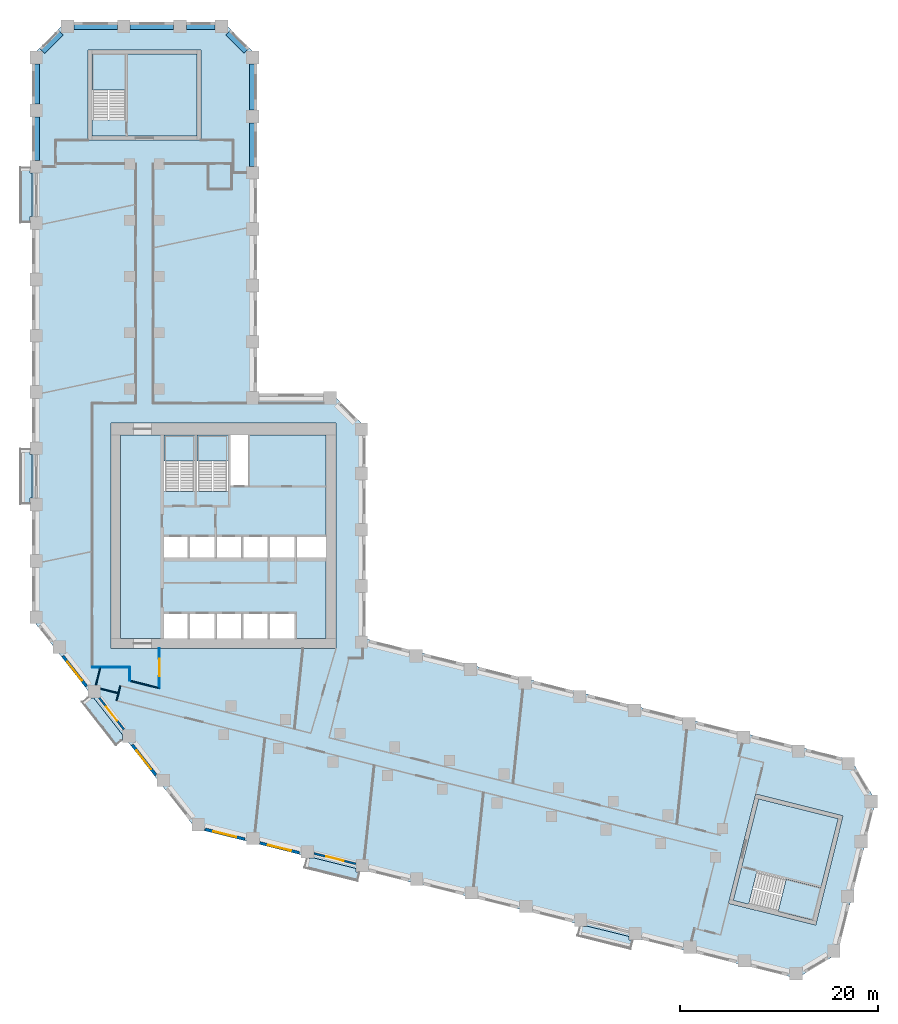
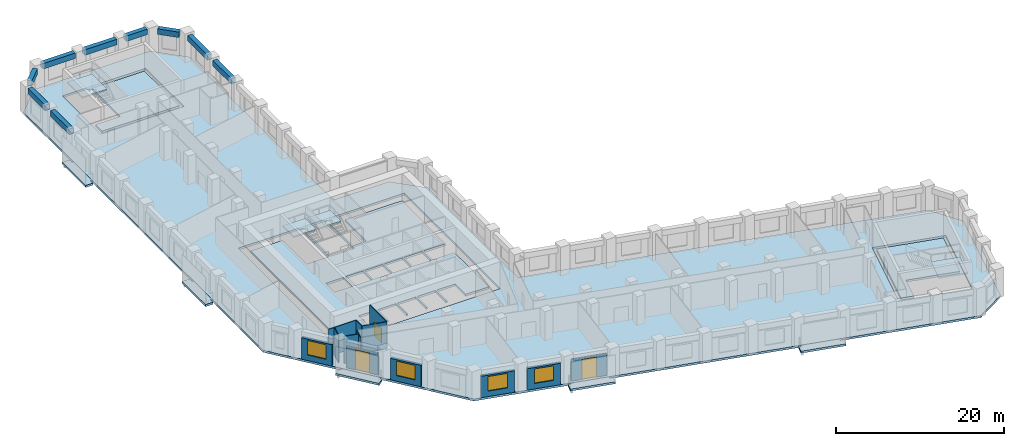
# One storey, part 2 of 11: 13 slabs, 13 walls, 9 beams, 4 windows, 3 doors, 7 openings, 4 elements without a shape of their own.
"""IFC4 building model written with IfcOpenShell, lengths in metres."""

from ifc_helpers import new_model, si_unit, direction, frame, frame_2d, origin, origin_2d, place, context, subcontext, project, spatial, polyline, rectangle, outline, extrude, material, layer, layer_set, material_profile, profile_set, type_object, element, fill, aggregate, save


model = new_model("IFC4")

# Units and contexts
model_context = context("Model", 3, precision=1e-05, world=origin(), true_north=direction((0.0, 1.0)))
body_context = subcontext(model_context, "Body", "Model", "MODEL_VIEW")
ifc_project = project(units=[si_unit("LENGTHUNIT", "METRE"), si_unit("AREAUNIT", "SQUARE_METRE"), si_unit("VOLUMEUNIT", "CUBIC_METRE"), si_unit("PLANEANGLEUNIT", "RADIAN"), si_unit("MASSUNIT", "GRAM", prefix="KILO")], contexts=[model_context])

# Site, building, storey
site_placement = place(None, origin())
site = spatial("IfcSite", under=ifc_project, at=site_placement, CompositionType="ELEMENT")
building_placement = place(site_placement, origin())
building = spatial("IfcBuilding", under=site, at=building_placement, Name="Meshkara Civic Tower", CompositionType="ELEMENT")
storey_placement = place(building_placement, frame((0.0, 0.0, 139.199951171875)))
storey = spatial("IfcBuildingStorey", under=building, at=storey_placement, Name="L31", CompositionType="ELEMENT", Elevation=139.199951171875)

# Beams
ifc_material_1 = material(Name="Concrete C70", Category="concrete")
ifc_material_profile = material_profile(ifc_material_1, rectangle(XDim=0.60009765625, YDim=0.800048828125, at=origin_2d()))
ifc_profile_set = profile_set([ifc_material_profile], Name="Concrete C70")
beam_type = type_object("IfcBeamType", Name="Spandrel beam RC 600x800 C70", PredefinedType="BEAM", material=ifc_profile_set)
beam_1_placement = place(storey_placement, frame((22.35009765625, 62.89501953125, 3.5), z_axis=(0.0, 1.0, 0.0), x_axis=(-1.0, 0.0, 0.0)))
element("IfcBeam", 1, at=beam_1_placement, inside=storey, type_object=beam_type, Name="Spandrel beam AE04-AE05", PredefinedType="BEAM", context=body_context, shape_type="SweptSolid", body=[
    extrude(rectangle(XDim=0.60009765625, YDim=0.800048828125, at=origin_2d()), origin(), (0.0, 0.0, 1.0), 4.409912109375),
])
beam_2_placement = place(storey_placement, frame((22.35009765625, 68.594970703125, 3.5), z_axis=(0.0, 1.0, 0.0), x_axis=(-1.0, 0.0, 0.0)))
element("IfcBeam", 2, at=beam_2_placement, inside=storey, type_object=beam_type, Name="Spandrel beam AE05-AEEP1", PredefinedType="BEAM", context=body_context, shape_type="SweptSolid", body=[
    extrude(rectangle(XDim=0.60009765625, YDim=0.800048828125, at=origin_2d()), origin(), (0.0, 0.0, 1.0), 4.674072265625),
])
beam_3_placement = place(storey_placement, frame((21.70361328125, 74.560546875, 3.5), z_axis=(-0.707106781187, 0.707106781187, 0.0), x_axis=(-0.707106781187, -0.707106781187, 0.0)))
element("IfcBeam", 3, at=beam_3_placement, inside=storey, type_object=beam_type, Name="Spandrel beam AEEP1-ATiEP1", PredefinedType="BEAM", context=body_context, shape_type="SweptSolid", body=[
    extrude(rectangle(XDim=0.60009765625, YDim=0.800048828125, at=origin_2d()), origin(), (0.0, 0.0, 1.0), 2.634765625),
])
beam_4_placement = place(storey_placement, frame((18.549072265625, 77.070068359375, 3.5), z_axis=(-1.0, 0.0, 0.0), x_axis=(0.0, -1.0, 0.0)))
element("IfcBeam", 4, at=beam_4_placement, inside=storey, type_object=beam_type, Name="Spandrel beam AT02-P1-ATiEP1", PredefinedType="BEAM", context=body_context, shape_type="SweptSolid", body=[
    extrude(rectangle(XDim=0.60009765625, YDim=0.800048828125, at=origin_2d()), origin(), (0.0, 0.0, 1.0), 2.898193359375),
])
beam_5_placement = place(storey_placement, frame((14.361083984375, 77.070068359375, 3.5), z_axis=(-1.0, 0.0, 0.0), x_axis=(0.0, -1.0, 0.0)))
element("IfcBeam", 5, at=beam_5_placement, inside=storey, type_object=beam_type, Name="Spandrel beam AT01-P1-AT02-P1", PredefinedType="BEAM", context=body_context, shape_type="SweptSolid", body=[
    extrude(rectangle(XDim=0.60009765625, YDim=0.800048828125, at=origin_2d()), origin(), (0.0, 0.0, 1.0), 4.41015625),
])
beam_6_placement = place(storey_placement, frame((8.660888671875, 77.070068359375, 3.5), z_axis=(-1.0, 0.0, 0.0), x_axis=(0.0, -1.0, 0.0)))
element("IfcBeam", 6, at=beam_6_placement, inside=storey, type_object=beam_type, Name="Spandrel beam AT00-P1-AT01-P1", PredefinedType="BEAM", context=body_context, shape_type="SweptSolid", body=[
    extrude(rectangle(XDim=0.60009765625, YDim=0.800048828125, at=origin_2d()), origin(), (0.0, 0.0, 1.0), 4.409912109375),
])
beam_7_placement = place(storey_placement, frame((2.95947265625, 76.423583984375, 3.5), z_axis=(-0.707106781187, -0.707106781187, 0.0), x_axis=(0.707106781187, -0.707106781187, 0.0)))
element("IfcBeam", 7, at=beam_7_placement, inside=storey, type_object=beam_type, Name="Spandrel beam AT00-P1-ATo00-P1", PredefinedType="BEAM", context=body_context, shape_type="SweptSolid", body=[
    extrude(rectangle(XDim=0.60009765625, YDim=0.800048828125, at=origin_2d()), origin(), (0.0, 0.0, 1.0), 2.634765625),
])
beam_8_placement = place(storey_placement, frame((0.449951171875, 73.26904296875, 3.5), z_axis=(0.0, -1.0, 0.0), x_axis=(1.0, 0.0, 0.0)))
element("IfcBeam", 8, at=beam_8_placement, inside=storey, type_object=beam_type, Name="Spandrel beam ATo00-P1-AW09", PredefinedType="BEAM", context=body_context, shape_type="SweptSolid", body=[
    extrude(rectangle(XDim=0.60009765625, YDim=0.800048828125, at=origin_2d()), origin(), (0.0, 0.0, 1.0), 4.069091796875),
])
beam_9_placement = place(storey_placement, frame((0.449951171875, 67.909912109375, 3.5), z_axis=(0.0, -1.0, 0.0), x_axis=(1.0, 0.0, 0.0)))
element("IfcBeam", 9, at=beam_9_placement, inside=storey, type_object=beam_type, Name="Spandrel beam AW08-AW09", PredefinedType="BEAM", context=body_context, shape_type="SweptSolid", body=[
    extrude(rectangle(XDim=0.60009765625, YDim=0.800048828125, at=origin_2d()), origin(), (0.0, 0.0, 1.0), 4.409912109375),
])

# Slabs
ifc_material_2 = material(Name="Concrete C40", Category="concrete")
ifc_layer_1 = layer(ifc_material_2, 0.300048828125)
ifc_layer_set_1 = layer_set([ifc_layer_1], Name="BALCONY SLAB")
slab_type_1 = type_object("IfcSlabType", Name="BALCONY SLAB", PredefinedType="FLOOR", material=ifc_layer_set_1)
slab_1_placement = place(storey_placement, frame((0.0, 0.0, -0.300048828125)))
element("IfcSlab", 10, at=slab_1_placement, inside=storey, type_object=slab_type_1, Name="Balcony slab", PredefinedType="FLOOR", context=body_context, shape_type="SweptSolid", body=[
    extrude(outline(polyline([(-1.199951171875, 57.215087890625), (-1.199951171875, 62.794921875), (-0.199951171875, 62.794921875), (-0.199951171875, 62.205078125), (0.0, 62.205078125), (0.0, 57.804931640625), (-0.199951171875, 57.804931640625), (-0.199951171875, 57.215087890625), (-1.199951171875, 57.215087890625)])), origin(), (0.0, 0.0, 1.0), 0.300048828125),
])
slab_2_placement = place(storey_placement, frame((0.0, 0.0, -0.300048828125)))
element("IfcSlab", 11, at=slab_2_placement, inside=storey, type_object=slab_type_1, Name="Balcony slab", PredefinedType="FLOOR", context=body_context, shape_type="SweptSolid", body=[
    extrude(outline(polyline([(-1.199951171875, 28.715087890625), (-1.199951171875, 34.294921875), (-0.199951171875, 34.294921875), (-0.199951171875, 33.705078125), (0.0, 33.705078125), (0.0, 29.304931640625), (-0.199951171875, 29.304931640625), (-0.199951171875, 28.715087890625), (-1.199951171875, 28.715087890625)])), origin(), (0.0, 0.0, 1.0), 0.300048828125),
])
slab_3_placement = place(storey_placement, frame((0.0, 0.0, -0.300048828125)))
element("IfcSlab", 12, at=slab_3_placement, inside=storey, type_object=slab_type_1, Name="Balcony slab", PredefinedType="FLOOR", context=body_context, shape_type="SweptSolid", body=[
    extrude(outline(polyline([(8.49609375, 4.27587890625), (5.06005859375, 8.674072265625), (5.673095703125, 9.153076171875), (5.673095703125, 9.0869140625), (6.260009765625, 9.0869140625), (9.18310546875, 5.345947265625), (9.18310546875, 4.81298828125), (8.49609375, 4.27587890625)])), origin(), (0.0, 0.0, 1.0), 0.300048828125),
])
slab_4_placement = place(storey_placement, frame((0.0, 0.0, -0.300048828125)))
element("IfcSlab", 13, at=slab_4_placement, inside=storey, type_object=slab_type_1, Name="Balcony slab", PredefinedType="FLOOR", context=body_context, shape_type="SweptSolid", body=[
    extrude(outline(polyline([(32.986083984375, -9.4609375), (27.571044921875, -8.111083984375), (27.81201171875, -7.14599609375), (28.56201171875, -7.14599609375), (28.56201171875, -7.12109375), (32.79296875, -8.176025390625), (32.79296875, -8.52490234375), (33.218994140625, -8.52490234375), (32.986083984375, -9.4609375)])), origin(), (0.0, 0.0, 1.0), 0.300048828125),
])
slab_5_placement = place(storey_placement, frame((0.0, 0.0, -0.300048828125)))
element("IfcSlab", 14, at=slab_5_placement, inside=storey, type_object=slab_type_1, Name="Balcony slab", PredefinedType="FLOOR", context=body_context, shape_type="SweptSolid", body=[
    extrude(outline(polyline([(60.639892578125, -16.35595703125), (55.22509765625, -15.006103515625), (55.466064453125, -14.0400390625), (56.216064453125, -14.0400390625), (56.216064453125, -14.01611328125), (60.447021484375, -15.071044921875), (60.447021484375, -15.4189453125), (60.873046875, -15.4189453125), (60.639892578125, -16.35595703125)])), origin(), (0.0, 0.0, 1.0), 0.300048828125),
])
ifc_material_3 = material(Name="Concrete C40/50", Category="concrete")
ifc_layer_2 = layer(ifc_material_3, 0.300048828125)
ifc_layer_set_2 = layer_set([ifc_layer_2], Name="Core floor slab 300 C40/50")
slab_type_2 = type_object("IfcSlabType", Name="Core floor slab 300 C40/50", PredefinedType="FLOOR", material=ifc_layer_set_2)
slab_6_placement = place(storey_placement, frame((0.0, 0.0, -0.300048828125)))
element("IfcSlab", 15, at=slab_6_placement, inside=storey, type_object=slab_type_2, Name="Core floor K", PredefinedType="FLOOR", context=body_context, shape_type="SweptSolid", body=[
    extrude(outline(polyline([(9.0, 35.699951171875), (13.39990234375, 35.699951171875), (13.39990234375, 30.00146484375), (16.5, 30.00146484375), (16.5, 35.699951171875), (16.699951171875, 35.699951171875), (16.699951171875, 30.00146484375), (19.89990234375, 30.00146484375), (19.89990234375, 35.699951171875), (20.10009765625, 35.699951171875), (20.10009765625, 30.574951171875), (21.925048828125, 30.574951171875), (21.925048828125, 35.699951171875), (29.800048828125, 35.699951171875), (29.800048828125, 25.39990234375), (26.800048828125, 25.39990234375), (26.800048828125, 23.300048828125), (29.800048828125, 23.300048828125), (29.800048828125, 15.10009765625), (26.60009765625, 15.10009765625), (26.60009765625, 17.60009765625), (24.10009765625, 17.60009765625), (24.10009765625, 15.10009765625), (23.89990234375, 15.10009765625), (23.89990234375, 17.60009765625), (21.39990234375, 17.60009765625), (21.39990234375, 15.10009765625), (21.199951171875, 15.10009765625), (21.199951171875, 17.60009765625), (18.699951171875, 17.60009765625), (18.699951171875, 15.10009765625), (18.5, 15.10009765625), (18.5, 17.60009765625), (16.0, 17.60009765625), (16.0, 15.10009765625), (15.800048828125, 15.10009765625), (15.800048828125, 17.60009765625), (13.39990234375, 17.60009765625), (13.39990234375, 15.10009765625), (9.0, 15.10009765625), (9.0, 35.699951171875)]), holes=[polyline([(13.39990234375, 25.39990234375), (13.39990234375, 23.300048828125), (15.800048828125, 23.300048828125), (15.800048828125, 25.39990234375), (13.39990234375, 25.39990234375)]), polyline([(18.5, 23.300048828125), (18.5, 25.39990234375), (16.0, 25.39990234375), (16.0, 23.300048828125), (18.5, 23.300048828125)]), polyline([(18.699951171875, 25.39990234375), (18.699951171875, 23.300048828125), (21.199951171875, 23.300048828125), (21.199951171875, 25.39990234375), (18.699951171875, 25.39990234375)]), polyline([(23.89990234375, 25.39990234375), (21.39990234375, 25.39990234375), (21.39990234375, 23.300048828125), (23.89990234375, 23.300048828125), (23.89990234375, 25.39990234375)]), polyline([(24.10009765625, 23.300048828125), (26.60009765625, 23.300048828125), (26.60009765625, 25.39990234375), (24.10009765625, 25.39990234375), (24.10009765625, 23.300048828125)])]), origin(), (0.0, 0.0, 1.0), 0.300048828125),
])
slab_7_placement = place(storey_placement, frame((0.0, 0.0, -0.300048828125)))
element("IfcSlab", 16, at=slab_7_placement, inside=storey, type_object=slab_type_2, Name="Core floor EA", PredefinedType="FLOOR", context=body_context, shape_type="SweptSolid", body=[
    extrude(outline(polyline([(16.699951171875, 65.969970703125), (16.699951171875, 74.27001953125), (9.5, 74.27001953125), (9.5, 67.571533203125), (6.10009765625, 67.571533203125), (6.10009765625, 65.969970703125), (16.699951171875, 65.969970703125)])), origin(), (0.0, 0.0, 1.0), 0.300048828125),
])
slab_8_placement = place(storey_placement, frame((0.0, 0.0, -0.300048828125)))
element("IfcSlab", 17, at=slab_8_placement, inside=storey, type_object=slab_type_2, Name="Core floor EB", PredefinedType="FLOOR", context=body_context, shape_type="SweptSolid", body=[
    extrude(outline(polyline([(73.581298828125, -1.134521484375), (81.634521484375, -3.142578125), (79.892822265625, -10.128662109375), (73.393310546875, -8.508056640625), (72.57080078125, -11.80712890625), (71.016845703125, -11.419677734375), (73.581298828125, -1.134521484375)])), origin(), (0.0, 0.0, 1.0), 0.300048828125),
])

# Stair, slab
ifc_material_4 = material(Name="Precast concrete C40/50", Category="concrete")
stair_type_1 = type_object("IfcStairType", Name="Exit stair half-turn 24 risers precast", PredefinedType="HALF_TURN_STAIR", material=ifc_material_4)
stair_1_placement = place(storey_placement, origin())
stair_1 = element("IfcStair", 18, at=stair_1_placement, inside=storey, type_object=stair_type_1, Name="L31 exit stair 1", PredefinedType="HALF_TURN_STAIR")
ifc_material_5 = material(Name="Precast concrete C40/50", Category="concrete")
ifc_layer_3 = layer(ifc_material_5, 0.199951171875)
ifc_layer_set_3 = layer_set([ifc_layer_3], Name="Exit stair landing 200")
slab_type_3 = type_object("IfcSlabType", Name="Exit stair landing 200", PredefinedType="LANDING", material=ifc_layer_set_3)
slab_9_placement = place(storey_placement, frame((0.0, 0.0, 1.900146484375)))
slab_9 = element("IfcSlab", 19, at=slab_9_placement, type_object=slab_type_3, Name="ST1 landing 1", PredefinedType="LANDING", context=body_context, shape_type="SweptSolid", body=[
    extrude(outline(polyline([(16.5, 33.07861328125), (16.5, 35.699951171875), (13.39990234375, 35.699951171875), (13.39990234375, 33.07861328125), (16.5, 33.07861328125)])), origin(), (0.0, 0.0, 1.0), 0.199951171875),
])
aggregate(stair_1, [slab_9])

stair_2_placement = place(storey_placement, origin())
stair_2 = element("IfcStair", 20, at=stair_2_placement, inside=storey, type_object=stair_type_1, Name="L31 exit stair 2", PredefinedType="HALF_TURN_STAIR")
slab_10_placement = place(storey_placement, frame((0.0, 0.0, 1.900146484375)))
slab_10 = element("IfcSlab", 21, at=slab_10_placement, type_object=slab_type_3, Name="ST2 landing 1", PredefinedType="LANDING", context=body_context, shape_type="SweptSolid", body=[
    extrude(outline(polyline([(19.89990234375, 33.07861328125), (19.89990234375, 35.699951171875), (16.699951171875, 35.699951171875), (16.699951171875, 33.07861328125), (19.89990234375, 33.07861328125)])), origin(), (0.0, 0.0, 1.0), 0.199951171875),
])
aggregate(stair_2, [slab_10])

ifc_material_6 = material(Name="Precast concrete C40/50", Category="concrete")
stair_type_2 = type_object("IfcStairType", Name="Exit stair half-turn 24 risers 1600 precast", PredefinedType="HALF_TURN_STAIR", material=ifc_material_6)
stair_3_placement = place(storey_placement, origin())
stair_3 = element("IfcStair", 22, at=stair_3_placement, inside=storey, type_object=stair_type_2, Name="L31 exit stair A from L20", PredefinedType="HALF_TURN_STAIR")
slab_11_placement = place(storey_placement, frame((0.0, 0.0, 1.900146484375)))
slab_11 = element("IfcSlab", 23, at=slab_11_placement, type_object=slab_type_3, Name="ESA2 landing 1", PredefinedType="LANDING", context=body_context, shape_type="SweptSolid", body=[
    extrude(outline(polyline([(9.5, 70.6484375), (9.5, 74.27001953125), (6.10009765625, 74.27001953125), (6.10009765625, 70.6484375), (9.5, 70.6484375)])), origin(), (0.0, 0.0, 1.0), 0.199951171875),
])
aggregate(stair_3, [slab_11])

stair_4_placement = place(storey_placement, origin())
stair_4 = element("IfcStair", 24, at=stair_4_placement, inside=storey, type_object=stair_type_2, Name="L31 exit stair B from L20", PredefinedType="HALF_TURN_STAIR")
slab_12_placement = place(storey_placement, frame((0.0, 0.0, 1.900146484375)))
slab_12 = element("IfcSlab", 25, at=slab_12_placement, type_object=slab_type_3, Name="ESB2 landing 1", PredefinedType="LANDING", context=body_context, shape_type="SweptSolid", body=[
    extrude(outline(polyline([(75.5556640625, -12.55224609375), (79.06982421875, -13.428955078125), (79.89306640625, -10.12890625), (76.379150390625, -9.25244140625), (75.5556640625, -12.55224609375)])), origin(), (0.0, 0.0, 1.0), 0.199951171875),
])
aggregate(stair_4, [slab_12])

# Slab
ifc_material_7 = material(Name="Concrete C50", Category="concrete")
ifc_layer_4 = layer(ifc_material_7, 0.300048828125)
ifc_layer_set_4 = layer_set([ifc_layer_4], Name="Post-tensioned flat slab 300 C50")
slab_type_4 = type_object("IfcSlabType", Name="Post-tensioned flat slab 300 C50", PredefinedType="FLOOR", material=ifc_layer_set_4)
slab_13_placement = place(storey_placement, frame((0.0, 0.0, -0.300048828125)))
element("IfcSlab", 26, at=slab_13_placement, inside=storey, type_object=slab_type_4, Name="Post-tensioned flat slab L31", PredefinedType="FLOOR", context=body_context, shape_type="SweptSolid", body=[
    extrude(outline(polyline([(81.574951171875, -16.81396484375), (77.429931640625, -19.304931640625), (16.592041015625, -4.136962890625), (0.0, 17.10009765625), (0.0, 74.10009765625), (3.419921875, 77.52001953125), (19.3798828125, 77.52001953125), (22.800048828125, 74.10009765625), (22.800048828125, 39.89990234375), (30.3798828125, 39.89990234375), (33.800048828125, 36.47998046875), (33.800048828125, 15.071044921875), (82.945068359375, 2.81689453125), (85.43603515625, -1.327880859375), (81.574951171875, -16.81396484375)]), holes=[polyline([(79.362060546875, -13.9130859375), (82.1201171875, -2.85107421875), (73.2900390625, -0.64990234375), (70.531982421875, -11.7109375), (79.362060546875, -13.9130859375)]), polyline([(8.0, 14.10009765625), (30.800048828125, 14.10009765625), (30.800048828125, 36.89990234375), (8.0, 36.89990234375), (8.0, 14.10009765625)]), polyline([(5.699951171875, 74.669921875), (5.699951171875, 65.570068359375), (17.10009765625, 65.570068359375), (17.10009765625, 74.669921875), (5.699951171875, 74.669921875)])]), origin(), (0.0, 0.0, 1.0), 0.300048828125),
])

# Walls
ifc_material_8 = material(Name="Corridor wall 100")
ifc_layer_5 = layer(ifc_material_8, 0.10009765625)
ifc_layer_set_5 = layer_set([ifc_layer_5], Name="Corridor wall 100")
wall_type_1 = type_object("IfcWallType", Name="Corridor wall 100", PredefinedType="PARTITIONING", material=ifc_layer_set_5)
wall_1_placement = place(storey_placement, frame((6.10009765625, 12.199951171875, 0.0), z_axis=(0.0, 0.0, 1.0), x_axis=(1.0, 0.0, 0.0)))
element("IfcWall", 27, at=wall_1_placement, inside=storey, type_object=wall_type_1, Name="L31-W004", PredefinedType="PARTITIONING", context=body_context, shape_type="SweptSolid", body=[
    extrude(rectangle(XDim=3.7998046875, YDim=0.10009765625, at=frame_2d((1.89990234375, 0.0))), origin(), (0.0, 0.0, 1.0), 3.900146484375),
])
wall_2_placement = place(storey_placement, frame((8.9580078125, 10.322998046875, 0.0), z_axis=(0.0, 0.0, 1.0), x_axis=(-0.241875508386, -0.97030729073, 0.0)))
element("IfcWall", 28, at=wall_2_placement, inside=storey, type_object=wall_type_1, Name="L31-W008", PredefinedType="PARTITIONING", context=body_context, shape_type="SweptSolid", body=[
    extrude(rectangle(XDim=1.566650390625, YDim=0.10009765625, at=frame_2d((0.783203125, 0.0))), origin(), (0.0, 0.0, 1.0), 3.900146484375),
])
wall_3_placement = place(storey_placement, frame((9.89990234375, 10.825927734375, 0.0), z_axis=(0.0, 0.0, 1.0), x_axis=(0.970290953223, -0.241941038466, 0.0)))
element("IfcWall", 29, at=wall_3_placement, inside=storey, type_object=wall_type_1, Name="L31-W009", PredefinedType="PARTITIONING", context=body_context, shape_type="SweptSolid", body=[
    extrude(rectangle(XDim=3.091796875, YDim=0.10009765625, at=frame_2d((1.5458984375, 0.0))), origin(), (0.0, 0.0, 1.0), 3.900146484375),
])
wall_4_placement = place(storey_placement, frame((9.89990234375, 12.199951171875, 0.0), z_axis=(0.0, 0.0, 1.0), x_axis=(0.0, -1.0, 0.0)))
element("IfcWall", 30, at=wall_4_placement, inside=storey, type_object=wall_type_1, Name="L31-W010", PredefinedType="PARTITIONING", context=body_context, shape_type="SweptSolid", body=[
    extrude(rectangle(XDim=1.3740234375, YDim=0.10009765625, at=frame_2d((0.68701171875, 0.0))), origin(), (0.0, 0.0, 1.0), 3.900146484375),
])

# Wall, opening, door
wall_5_placement = place(storey_placement, frame((12.89990234375, 10.077880859375, 0.0), z_axis=(0.0, 0.0, 1.0), x_axis=(0.0, 1.0, 0.0)))
wall_5 = element("IfcWall", 31, at=wall_5_placement, inside=storey, type_object=wall_type_1, Name="L31-W014", PredefinedType="PARTITIONING", context=body_context, shape_type="SweptSolid", body=[
    extrude(rectangle(XDim=4.022216796875, YDim=0.10009765625, at=frame_2d((2.01123046875, 0.0))), origin(), (0.0, 0.0, 1.0), 3.900146484375),
])
opening_1_placement = place(wall_5_placement, frame((1.179931640625, 0.0, 0.0)))
opening_1 = element("IfcOpeningElement", 32, at=opening_1_placement, cuts=wall_5, Name="Opening L31-D015", PredefinedType="OPENING", context=body_context, shape_type="SweptSolid", body=[
    extrude(rectangle(XDim=1.800048828125, YDim=2.10009765625, at=frame_2d((0.89990234375, 1.050048828125))), frame((0.0, 0.06005859375, 0.0), z_axis=(0.0, -1.0, 0.0), x_axis=(1.0, 0.0, 0.0)), (0.0, 0.0, 1.0), 0.1201171875),
])
ifc_material_9 = material(Name="Door pair 1800 x 2100")
door_type_1 = type_object("IfcDoorType", Name="Door pair 1800 x 2100", OperationType="SINGLE_SWING_LEFT", PredefinedType="DOOR", material=ifc_material_9)
door_1_placement = place(opening_1_placement, origin())
door_1 = element("IfcDoor", 33, at=door_1_placement, inside=storey, type_object=door_type_1, Name="L31-D015", OperationType="DOUBLE_DOOR_SINGLE_SWING", OverallHeight=2.10009765625, OverallWidth=1.800048828125, PredefinedType="DOOR", context=body_context, shape_type="SweptSolid", body=[
    extrude(rectangle(XDim=1.800048828125, YDim=2.10009765625, at=frame_2d((0.89990234375, 1.050048828125))), frame((0.0, 0.02490234375, 0.0), z_axis=(0.0, -1.0, 0.0), x_axis=(1.0, 0.0, 0.0)), (0.0, 0.0, 1.0), 0.050048828125),
])
fill(opening_1, door_1)

# Wall, opening, window
ifc_material_10 = material(Name="Insulated infill panel with bronze anodised aluminium cladding", Category="aluminium")
ifc_layer_6 = layer(ifc_material_10, 0.300048828125)
ifc_layer_set_6 = layer_set([ifc_layer_6], Name="EXTERNAL INFILL WALL 300")
wall_type_2 = type_object("IfcWallType", Name="EXTERNAL INFILL WALL 300", PredefinedType="SOLIDWALL", material=ifc_layer_set_6)
wall_6_placement = place(storey_placement, frame((3.138916015625, 13.324951171875, 0.0), z_axis=(0.0, 0.0, 1.0), x_axis=(0.615779754703, -0.787918329332, 0.0)))
wall_6 = element("IfcWall", 34, at=wall_6_placement, inside=storey, type_object=wall_type_2, Name="External wall", PredefinedType="SOLIDWALL", context=body_context, shape_type="SweptSolid", body=[
    extrude(rectangle(XDim=3.874755859375, YDim=0.300048828125, at=frame_2d((1.9375, 0.0))), origin(), (0.0, 0.0, 1.0), 3.10009765625),
])
opening_2_placement = place(wall_6_placement, frame((0.738037109375, 0.0, 0.800048828125)))
opening_2 = element("IfcOpeningElement", 35, at=opening_2_placement, cuts=wall_6, Name="Opening W7", PredefinedType="OPENING", context=body_context, shape_type="SweptSolid", body=[
    extrude(rectangle(XDim=2.39990234375, YDim=2.10009765625, at=frame_2d((1.199951171875, 1.050048828125))), frame((0.0, 0.159912109375, 0.0), z_axis=(0.0, -1.0, 0.0), x_axis=(1.0, 0.0, 0.0)), (0.0, 0.0, 1.0), 0.320068359375),
])
ifc_material_11 = material(Name="Tinted double glazing", Category="glass")
window_type = type_object("IfcWindowType", Name="WINDOW 2400x2100", PartitioningType="DOUBLE_PANEL_VERTICAL", PredefinedType="WINDOW", material=ifc_material_11)
window_1_placement = place(opening_2_placement, origin())
window_1 = element("IfcWindow", 36, at=window_1_placement, inside=storey, type_object=window_type, Name="Window", OverallHeight=2.10009765625, OverallWidth=2.39990234375, PartitioningType="DOUBLE_PANEL_VERTICAL", PredefinedType="WINDOW", context=body_context, shape_type="SweptSolid", body=[
    extrude(rectangle(XDim=2.39990234375, YDim=2.10009765625, at=frame_2d((1.199951171875, 1.050048828125))), frame((0.0, 0.030029296875, 0.0), z_axis=(0.0, -1.0, 0.0), x_axis=(1.0, 0.0, 0.0)), (0.0, 0.0, 1.0), 0.06005859375),
])
fill(opening_2, window_1)

wall_7_placement = place(storey_placement, frame((10.157958984375, 4.341064453125, 0.0), z_axis=(0.0, 0.0, 1.0), x_axis=(0.615779754703, -0.787918329332, 0.0)))
wall_7 = element("IfcWall", 37, at=wall_7_placement, inside=storey, type_object=wall_type_2, Name="External wall", PredefinedType="SOLIDWALL", context=body_context, shape_type="SweptSolid", body=[
    extrude(rectangle(XDim=3.874755859375, YDim=0.300048828125, at=frame_2d((1.9375, 0.0))), origin(), (0.0, 0.0, 1.0), 3.10009765625),
])
opening_3_placement = place(wall_7_placement, frame((0.737060546875, 0.0, 0.800048828125)))
opening_3 = element("IfcOpeningElement", 38, at=opening_3_placement, cuts=wall_7, Name="Opening W7", PredefinedType="OPENING", context=body_context, shape_type="SweptSolid", body=[
    extrude(rectangle(XDim=2.39990234375, YDim=2.10009765625, at=frame_2d((1.199951171875, 1.050048828125))), frame((0.0, 0.159912109375, 0.0), z_axis=(0.0, -1.0, 0.0), x_axis=(1.0, 0.0, 0.0)), (0.0, 0.0, 1.0), 0.320068359375),
])
window_2_placement = place(opening_3_placement, origin())
window_2 = element("IfcWindow", 39, at=window_2_placement, inside=storey, type_object=window_type, Name="Window", OverallHeight=2.10009765625, OverallWidth=2.39990234375, PartitioningType="DOUBLE_PANEL_VERTICAL", PredefinedType="WINDOW", context=body_context, shape_type="SweptSolid", body=[
    extrude(rectangle(XDim=2.39990234375, YDim=2.10009765625, at=frame_2d((1.199951171875, 1.050048828125))), frame((0.0, 0.030029296875, 0.0), z_axis=(0.0, -1.0, 0.0), x_axis=(1.0, 0.0, 0.0)), (0.0, 0.0, 1.0), 0.06005859375),
])
fill(opening_3, window_2)

wall_8_placement = place(storey_placement, frame((17.54296875, -4.219970703125, 0.0), z_axis=(0.0, 0.0, 1.0), x_axis=(0.970337184445, -0.241755555227, 0.0)))
wall_8 = element("IfcWall", 40, at=wall_8_placement, inside=storey, type_object=wall_type_2, Name="External wall", PredefinedType="SOLIDWALL", context=body_context, shape_type="SweptSolid", body=[
    extrude(rectangle(XDim=4.124267578125, YDim=0.300048828125, at=frame_2d((2.06201171875, 0.0))), origin(), (0.0, 0.0, 1.0), 3.10009765625),
])
opening_4_placement = place(wall_8_placement, frame((0.862060546875, 0.0, 0.800048828125)))
opening_4 = element("IfcOpeningElement", 41, at=opening_4_placement, cuts=wall_8, Name="Opening W7", PredefinedType="OPENING", context=body_context, shape_type="SweptSolid", body=[
    extrude(rectangle(XDim=2.39990234375, YDim=2.10009765625, at=frame_2d((1.199951171875, 1.050048828125))), frame((0.0, 0.159912109375, 0.0), z_axis=(0.0, -1.0, 0.0), x_axis=(1.0, 0.0, 0.0)), (0.0, 0.0, 1.0), 0.320068359375),
])
window_3_placement = place(opening_4_placement, origin())
window_3 = element("IfcWindow", 42, at=window_3_placement, inside=storey, type_object=window_type, Name="Window", OverallHeight=2.10009765625, OverallWidth=2.39990234375, PartitioningType="DOUBLE_PANEL_VERTICAL", PredefinedType="WINDOW", context=body_context, shape_type="SweptSolid", body=[
    extrude(rectangle(XDim=2.39990234375, YDim=2.10009765625, at=frame_2d((1.199951171875, 1.050048828125))), frame((0.0, 0.030029296875, 0.0), z_axis=(0.0, -1.0, 0.0), x_axis=(1.0, 0.0, 0.0)), (0.0, 0.0, 1.0), 0.06005859375),
])
fill(opening_4, window_3)

wall_9_placement = place(storey_placement, frame((23.073974609375, -5.597900390625, 0.0), z_axis=(0.0, 0.0, 1.0), x_axis=(0.970267747908, -0.242034083076, 0.0)))
wall_9 = element("IfcWall", 43, at=wall_9_placement, inside=storey, type_object=wall_type_2, Name="External wall", PredefinedType="SOLIDWALL", context=body_context, shape_type="SweptSolid", body=[
    extrude(rectangle(XDim=4.12353515625, YDim=0.300048828125, at=frame_2d((2.061767578125, 0.0))), origin(), (0.0, 0.0, 1.0), 3.10009765625),
])
opening_5_placement = place(wall_9_placement, frame((0.862060546875, 0.0, 0.800048828125)))
opening_5 = element("IfcOpeningElement", 44, at=opening_5_placement, cuts=wall_9, Name="Opening W7", PredefinedType="OPENING", context=body_context, shape_type="SweptSolid", body=[
    extrude(rectangle(XDim=2.39990234375, YDim=2.10009765625, at=frame_2d((1.199951171875, 1.050048828125))), frame((0.0, 0.159912109375, 0.0), z_axis=(0.0, -1.0, 0.0), x_axis=(1.0, 0.0, 0.0)), (0.0, 0.0, 1.0), 0.320068359375),
])
window_4_placement = place(opening_5_placement, origin())
window_4 = element("IfcWindow", 45, at=window_4_placement, inside=storey, type_object=window_type, Name="Window", OverallHeight=2.10009765625, OverallWidth=2.39990234375, PartitioningType="DOUBLE_PANEL_VERTICAL", PredefinedType="WINDOW", context=body_context, shape_type="SweptSolid", body=[
    extrude(rectangle(XDim=2.39990234375, YDim=2.10009765625, at=frame_2d((1.199951171875, 1.050048828125))), frame((0.0, 0.030029296875, 0.0), z_axis=(0.0, -1.0, 0.0), x_axis=(1.0, 0.0, 0.0)), (0.0, 0.0, 1.0), 0.06005859375),
])
fill(opening_5, window_4)

# Wall, opening, door
ifc_material_12 = material(Name="Insulated infill panel with bronze anodised aluminium cladding", Category="aluminium")
ifc_layer_7 = layer(ifc_material_12, 0.199951171875)
ifc_layer_set_7 = layer_set([ifc_layer_7], Name="LOGGIA BACK WALL 200")
wall_type_3 = type_object("IfcWallType", Name="LOGGIA BACK WALL 200", PredefinedType="SOLIDWALL", material=ifc_layer_set_7)
wall_10_placement = place(storey_placement, frame((6.83203125, 9.0869140625, 0.0), z_axis=(0.0, 0.0, 1.0), x_axis=(0.615529395526, -0.788113927833, 0.0)))
wall_10 = element("IfcWall", 46, at=wall_10_placement, inside=storey, type_object=wall_type_3, Name="Loggia wall", PredefinedType="SOLIDWALL", context=body_context, shape_type="SweptSolid", body=[
    extrude(rectangle(XDim=4.050048828125, YDim=0.199951171875, at=frame_2d((2.02490234375, 0.0))), origin(), (0.0, 0.0, 1.0), 3.10009765625),
])
opening_6_placement = place(wall_10_placement, frame((1.125, 0.0, 0.0)))
opening_6 = element("IfcOpeningElement", 47, at=opening_6_placement, cuts=wall_10, Name="Opening L31-L003", PredefinedType="OPENING", context=body_context, shape_type="SweptSolid", body=[
    extrude(rectangle(XDim=1.800048828125, YDim=2.89990234375, at=frame_2d((0.89990234375, 1.449951171875))), frame((0.0, 0.10986328125, 0.0), z_axis=(0.0, -1.0, 0.0), x_axis=(1.0, 0.0, 0.0)), (0.0, 0.0, 1.0), 0.219970703125),
])
ifc_material_13 = material(Name="Tinted double glazing", Category="glass")
door_type_2 = type_object("IfcDoorType", Name="LOGGIA DOOR 1800x2900", OperationType="DOUBLE_DOOR_SINGLE_SWING", PredefinedType="DOOR", material=ifc_material_13)
door_2_placement = place(opening_6_placement, origin())
door_2 = element("IfcDoor", 48, at=door_2_placement, inside=storey, type_object=door_type_2, Name="L31-L003", OperationType="DOUBLE_DOOR_SINGLE_SWING", OverallHeight=2.89990234375, OverallWidth=1.800048828125, PredefinedType="DOOR", context=body_context, shape_type="SweptSolid", body=[
    extrude(rectangle(XDim=1.800048828125, YDim=2.89990234375, at=frame_2d((0.89990234375, 1.449951171875))), frame((0.0, 0.02490234375, 0.0), z_axis=(0.0, -1.0, 0.0), x_axis=(1.0, 0.0, 0.0)), (0.0, 0.0, 1.0), 0.050048828125),
])
fill(opening_6, door_2)

wall_11_placement = place(storey_placement, frame((28.56201171875, -6.657958984375, 0.0), z_axis=(0.0, 0.0, 1.0), x_axis=(0.970346363444, -0.241718710386, 0.0)))
wall_11 = element("IfcWall", 49, at=wall_11_placement, inside=storey, type_object=wall_type_3, Name="Loggia wall", PredefinedType="SOLIDWALL", context=body_context, shape_type="SweptSolid", body=[
    extrude(rectangle(XDim=4.3603515625, YDim=0.199951171875, at=frame_2d((2.18017578125, 0.0))), origin(), (0.0, 0.0, 1.0), 3.10009765625),
])
opening_7_placement = place(wall_11_placement, frame((1.280029296875, 0.0, 0.0)))
opening_7 = element("IfcOpeningElement", 50, at=opening_7_placement, cuts=wall_11, Name="Opening L31-L004", PredefinedType="OPENING", context=body_context, shape_type="SweptSolid", body=[
    extrude(rectangle(XDim=1.800048828125, YDim=2.89990234375, at=frame_2d((0.89990234375, 1.449951171875))), frame((0.0, 0.10986328125, 0.0), z_axis=(0.0, -1.0, 0.0), x_axis=(1.0, 0.0, 0.0)), (0.0, 0.0, 1.0), 0.219970703125),
])
door_3_placement = place(opening_7_placement, origin())
door_3 = element("IfcDoor", 51, at=door_3_placement, inside=storey, type_object=door_type_2, Name="L31-L004", OperationType="DOUBLE_DOOR_SINGLE_SWING", OverallHeight=2.89990234375, OverallWidth=1.800048828125, PredefinedType="DOOR", context=body_context, shape_type="SweptSolid", body=[
    extrude(rectangle(XDim=1.800048828125, YDim=2.89990234375, at=frame_2d((0.89990234375, 1.449951171875))), frame((0.0, 0.02490234375, 0.0), z_axis=(0.0, -1.0, 0.0), x_axis=(1.0, 0.0, 0.0)), (0.0, 0.0, 1.0), 0.050048828125),
])
fill(opening_7, door_3)

# Walls
ifc_material_14 = material(Name="Partition 100")
ifc_layer_8 = layer(ifc_material_14, 0.10009765625)
ifc_layer_set_8 = layer_set([ifc_layer_8], Name="Partition 100")
wall_type_4 = type_object("IfcWallType", Name="Partition 100", PredefinedType="PARTITIONING", material=ifc_layer_set_8)
wall_12_placement = place(storey_placement, frame((6.922119140625, 12.137939453125, 0.0), z_axis=(0.0, 0.0, 1.0), x_axis=(-0.242153635337, -0.970237917674, 0.0)))
element("IfcWall", 52, at=wall_12_placement, inside=storey, type_object=wall_type_4, Name="L31-W034", PredefinedType="PARTITIONING", context=body_context, shape_type="SweptSolid", body=[
    extrude(rectangle(XDim=1.8046875, YDim=0.10009765625, at=frame_2d((0.90234375, 0.0))), origin(), (0.0, 0.0, 1.0), 3.900146484375),
])
wall_13_placement = place(storey_placement, frame((8.718994140625, 9.574951171875, 0.0), z_axis=(0.0, 0.0, 1.0), x_axis=(-0.970333736057, 0.241769395645, 0.0)))
element("IfcWall", 53, at=wall_13_placement, inside=storey, type_object=wall_type_4, Name="L31-W035", PredefinedType="PARTITIONING", context=body_context, shape_type="SweptSolid", body=[
    extrude(rectangle(XDim=1.799560546875, YDim=0.10009765625, at=frame_2d((0.89990234375, 0.0))), origin(), (0.0, 0.0, 1.0), 3.900146484375),
])

save(model, "model.ifc")
